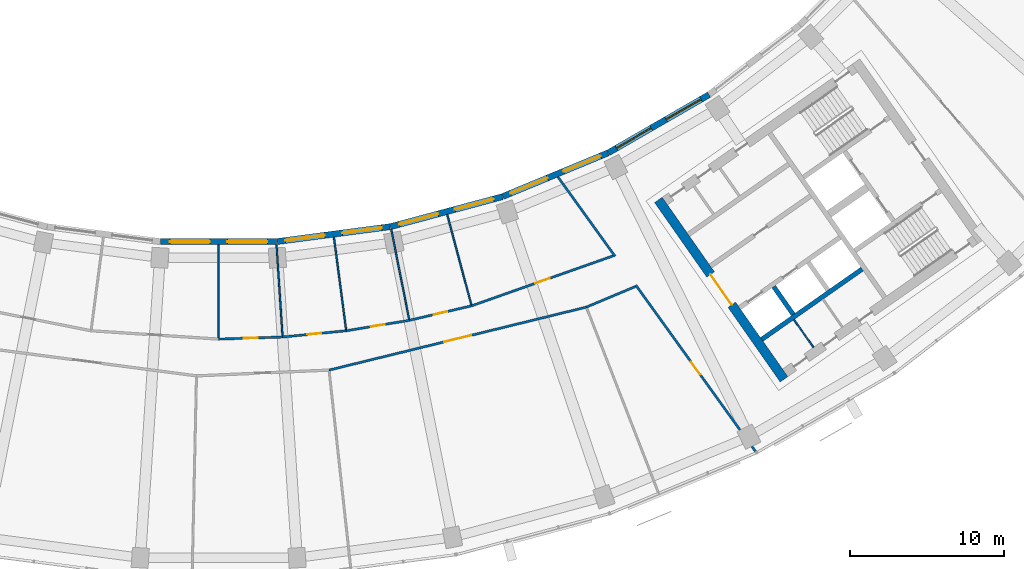
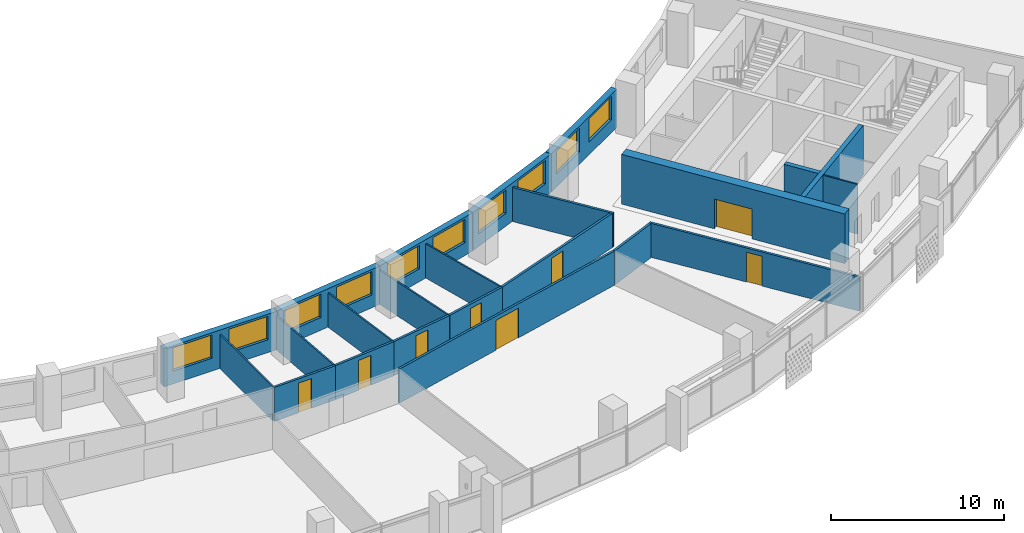
# One storey, part 6 of 26: 23 walls, 10 windows, 8 doors, 18 openings.
"""IFC4 building model written with IfcOpenShell, lengths in metres."""

from ifc_helpers import new_model, si_unit, direction, frame, frame_2d, origin, place, context, subcontext, project, spatial, rectangle, extrude, material, layer, layer_set, type_object, element, fill, save


model = new_model("IFC4")

# Units and contexts
model_context = context("Model", 3, precision=1e-05, world=origin(), true_north=direction((0.0, 1.0)))
body_context = subcontext(model_context, "Body", "Model", "MODEL_VIEW")
ifc_project = project(units=[si_unit("LENGTHUNIT", "METRE"), si_unit("AREAUNIT", "SQUARE_METRE"), si_unit("VOLUMEUNIT", "CUBIC_METRE"), si_unit("PLANEANGLEUNIT", "RADIAN"), si_unit("MASSUNIT", "GRAM", prefix="KILO")], contexts=[model_context])

# Site, building, storey
site_placement = place(None, origin())
site = spatial("IfcSite", under=ifc_project, at=site_placement, CompositionType="ELEMENT")
building_placement = place(site_placement, origin())
building = spatial("IfcBuilding", under=site, at=building_placement, Name="Qamariyya Broadcast Tower", CompositionType="ELEMENT")
storey_placement = place(building_placement, frame((0.0, 0.0, 183.5)))
storey = spatial("IfcBuildingStorey", under=building, at=storey_placement, Name="L43", CompositionType="ELEMENT", Elevation=183.5)

# Wall, opening, door
ifc_material_1 = material(Name="Concrete C60/75", Category="concrete")
ifc_layer_1 = layer(ifc_material_1, 0.60009765625)
ifc_layer_set_1 = layer_set([ifc_layer_1], Name="Core wall 600 mm Concrete C60/75")
wall_type_1 = type_object("IfcWallType", Name="Core wall 600 mm Concrete C60/75", PredefinedType="SHEAR", material=ifc_layer_set_1)
wall_1_placement = place(storey_placement, frame((36.66748046875, -66.005126953125, 0.0), z_axis=(0.0, 0.0, 1.0), x_axis=(-0.573568499524, 0.819157601658, 0.0)))
wall_1 = element("IfcWall", 1, at=wall_1_placement, inside=storey, type_object=wall_type_1, Name="k-E-L43-WA", PredefinedType="SHEAR", context=body_context, shape_type="SweptSolid", body=[
    extrude(rectangle(XDim=14.19970703125, YDim=0.60009765625, at=frame_2d((7.099853515625, 0.0))), origin(), (0.0, 0.0, 1.0), 3.5),
])
opening_1_placement = place(wall_1_placement, frame((5.89990234375, 0.0, 0.0)))
opening_1 = element("IfcOpeningElement", 2, at=opening_1_placement, cuts=wall_1, Name="Opening KD3-E1", PredefinedType="OPENING", context=body_context, shape_type="SweptSolid", body=[
    extrude(rectangle(XDim=2.39990234375, YDim=2.10009765625, at=frame_2d((1.199951171875, 1.050048828125))), frame((0.0, 0.31005859375, 0.0), z_axis=(0.0, -1.0, 0.0), x_axis=(1.0, 0.0, 0.0)), (0.0, 0.0, 1.0), 0.6201171875),
])
ifc_material_2 = material(Name="Steel fire-resisting door leaf", Category="steel")
door_type_1 = type_object("IfcDoorType", Name="Lift lobby door KD3", OperationType="DOUBLE_DOOR_SINGLE_SWING", PredefinedType="DOOR", material=ifc_material_2)
door_1_placement = place(opening_1_placement, origin())
door_1 = element("IfcDoor", 3, at=door_1_placement, inside=storey, type_object=door_type_1, Name="k-E-L43-WA-D1", OperationType="DOUBLE_DOOR_SINGLE_SWING", OverallHeight=2.10009765625, OverallWidth=2.39990234375, PredefinedType="DOOR", context=body_context, shape_type="SweptSolid", body=[
    extrude(rectangle(XDim=2.39990234375, YDim=2.10009765625, at=frame_2d((1.199951171875, 1.050048828125))), frame((0.0, 0.02490234375, 0.0), z_axis=(0.0, -1.0, 0.0), x_axis=(1.0, 0.0, 0.0)), (0.0, 0.0, 1.0), 0.050048828125),
])
fill(opening_1, door_1)

ifc_material_3 = material(Name="Gypsum board partition")
ifc_layer_2 = layer(ifc_material_3, 0.14990234375)
ifc_layer_set_2 = layer_set([ifc_layer_2], Name="Corridor partition 150 EI 60")
wall_type_2 = type_object("IfcWallType", Name="Corridor partition 150 EI 60", PredefinedType="PARTITIONING", material=ifc_layer_set_2)
wall_2_placement = place(storey_placement, frame((0.0, -63.39990234375, 0.0), z_axis=(0.0, 0.0, 1.0), x_axis=(0.999464584765, 0.032719165634, 0.0)))
wall_2 = element("IfcWall", 4, at=wall_2_placement, inside=storey, type_object=wall_type_2, Name="Partition L43-018", PredefinedType="PARTITIONING", context=body_context, shape_type="SweptSolid", body=[
    extrude(rectangle(XDim=4.148681640625, YDim=0.14990234375, at=frame_2d((2.07421875, 0.0))), origin(), (0.0, 0.0, 1.0), 2.39990234375),
])
opening_2_placement = place(wall_2_placement, frame((1.62451171875, 0.0, 0.0)))
opening_2 = element("IfcOpeningElement", 5, at=opening_2_placement, cuts=wall_2, Name="Opening L43-D11", PredefinedType="OPENING", context=body_context, shape_type="SweptSolid", body=[
    extrude(rectangle(XDim=0.89990234375, YDim=2.10009765625, at=frame_2d((0.449951171875, 1.050048828125))), frame((0.0, 0.0849609375, 0.0), z_axis=(0.0, -1.0, 0.0), x_axis=(1.0, 0.0, 0.0)), (0.0, 0.0, 1.0), 0.169921875),
])
ifc_material_4 = material(Name="Timber fire door leaf", Category="wood")
door_type_2 = type_object("IfcDoorType", Name="Fire door 900 x 2100 FD60", OperationType="NOTDEFINED", PredefinedType="DOOR", material=ifc_material_4)
door_2_placement = place(opening_2_placement, origin())
door_2 = element("IfcDoor", 6, at=door_2_placement, inside=storey, type_object=door_type_2, Name="Door L43-D11", OperationType="SINGLE_SWING_RIGHT", OverallHeight=2.10009765625, OverallWidth=0.89990234375, PredefinedType="DOOR", context=body_context, shape_type="SweptSolid", body=[
    extrude(rectangle(XDim=0.89990234375, YDim=2.10009765625, at=frame_2d((0.449951171875, 1.050048828125))), frame((0.0, 0.02490234375, 0.0), z_axis=(0.0, -1.0, 0.0), x_axis=(1.0, 0.0, 0.0)), (0.0, 0.0, 1.0), 0.050048828125),
])
fill(opening_2, door_2)

wall_3_placement = place(storey_placement, frame((4.146484375, -63.26416015625, 0.0), z_axis=(0.0, 0.0, 1.0), x_axis=(0.995188667069, 0.097977124567, 0.0)))
wall_3 = element("IfcWall", 7, at=wall_3_placement, inside=storey, type_object=wall_type_2, Name="Partition L43-021", PredefinedType="PARTITIONING", context=body_context, shape_type="SweptSolid", body=[
    extrude(rectangle(XDim=4.14892578125, YDim=0.14990234375, at=frame_2d((2.074462890625, 0.0))), origin(), (0.0, 0.0, 1.0), 2.39990234375),
])
opening_3_placement = place(wall_3_placement, frame((1.62451171875, 0.0, 0.0)))
opening_3 = element("IfcOpeningElement", 8, at=opening_3_placement, cuts=wall_3, Name="Opening L43-D12", PredefinedType="OPENING", context=body_context, shape_type="SweptSolid", body=[
    extrude(rectangle(XDim=0.89990234375, YDim=2.10009765625, at=frame_2d((0.449951171875, 1.050048828125))), frame((0.0, 0.0849609375, 0.0), z_axis=(0.0, -1.0, 0.0), x_axis=(1.0, 0.0, 0.0)), (0.0, 0.0, 1.0), 0.169921875),
])
door_3_placement = place(opening_3_placement, origin())
door_3 = element("IfcDoor", 9, at=door_3_placement, inside=storey, type_object=door_type_2, Name="Door L43-D12", OperationType="SINGLE_SWING_RIGHT", OverallHeight=2.10009765625, OverallWidth=0.89990234375, PredefinedType="DOOR", context=body_context, shape_type="SweptSolid", body=[
    extrude(rectangle(XDim=0.89990234375, YDim=2.10009765625, at=frame_2d((0.449951171875, 1.050048828125))), frame((0.0, 0.02490234375, 0.0), z_axis=(0.0, -1.0, 0.0), x_axis=(1.0, 0.0, 0.0)), (0.0, 0.0, 1.0), 0.050048828125),
])
fill(opening_3, door_3)

wall_4_placement = place(storey_placement, frame((23.8466796875, -61.32666015625, 0.0), z_axis=(0.0, 0.0, 1.0), x_axis=(-0.971345945065, -0.23767005492, 0.0)))
wall_4 = element("IfcWall", 10, at=wall_4_placement, inside=storey, type_object=wall_type_2, Name="Partition L43-022", PredefinedType="PARTITIONING", context=body_context, shape_type="SweptSolid", body=[
    extrude(rectangle(XDim=17.17724609375, YDim=0.14990234375, at=frame_2d((8.588623046875, 0.0))), origin(), (0.0, 0.0, 1.0), 2.39990234375),
])
opening_4_placement = place(wall_4_placement, frame((7.688720703125, 0.0, 0.0)))
opening_4 = element("IfcOpeningElement", 11, at=opening_4_placement, cuts=wall_4, Name="Opening L43-D06", PredefinedType="OPENING", context=body_context, shape_type="SweptSolid", body=[
    extrude(rectangle(XDim=1.800048828125, YDim=2.10009765625, at=frame_2d((0.89990234375, 1.050048828125))), frame((0.0, 0.0849609375, 0.0), z_axis=(0.0, -1.0, 0.0), x_axis=(1.0, 0.0, 0.0)), (0.0, 0.0, 1.0), 0.169921875),
])
door_type_3 = type_object("IfcDoorType", Name="Double fire door 1800 x 2100 FD60", OperationType="NOTDEFINED", PredefinedType="DOOR", material=ifc_material_4)
door_4_placement = place(opening_4_placement, origin())
door_4 = element("IfcDoor", 12, at=door_4_placement, inside=storey, type_object=door_type_3, Name="Door L43-D06", OperationType="DOUBLE_DOOR_SINGLE_SWING", OverallHeight=2.10009765625, OverallWidth=1.800048828125, PredefinedType="DOOR", context=body_context, shape_type="SweptSolid", body=[
    extrude(rectangle(XDim=1.800048828125, YDim=2.10009765625, at=frame_2d((0.89990234375, 1.050048828125))), frame((0.0, 0.02490234375, 0.0), z_axis=(0.0, -1.0, 0.0), x_axis=(1.0, 0.0, 0.0)), (0.0, 0.0, 1.0), 0.050048828125),
])
fill(opening_4, door_4)

wall_5_placement = place(storey_placement, frame((8.275390625, -62.857666015625, 0.0), z_axis=(0.0, 0.0, 1.0), x_axis=(0.986644067936, 0.162891016345, 0.0)))
wall_5 = element("IfcWall", 13, at=wall_5_placement, inside=storey, type_object=wall_type_2, Name="Partition L43-024", PredefinedType="PARTITIONING", context=body_context, shape_type="SweptSolid", body=[
    extrude(rectangle(XDim=4.148681640625, YDim=0.14990234375, at=frame_2d((2.07421875, 0.0))), origin(), (0.0, 0.0, 1.0), 2.39990234375),
])
opening_5_placement = place(wall_5_placement, frame((1.62451171875, 0.0, 0.0)))
opening_5 = element("IfcOpeningElement", 14, at=opening_5_placement, cuts=wall_5, Name="Opening L43-D13", PredefinedType="OPENING", context=body_context, shape_type="SweptSolid", body=[
    extrude(rectangle(XDim=0.89990234375, YDim=2.10009765625, at=frame_2d((0.449951171875, 1.050048828125))), frame((0.0, 0.0849609375, 0.0), z_axis=(0.0, -1.0, 0.0), x_axis=(1.0, 0.0, 0.0)), (0.0, 0.0, 1.0), 0.169921875),
])
door_5_placement = place(opening_5_placement, origin())
door_5 = element("IfcDoor", 15, at=door_5_placement, inside=storey, type_object=door_type_2, Name="Door L43-D13", OperationType="SINGLE_SWING_RIGHT", OverallHeight=2.10009765625, OverallWidth=0.89990234375, PredefinedType="DOOR", context=body_context, shape_type="SweptSolid", body=[
    extrude(rectangle(XDim=0.89990234375, YDim=2.10009765625, at=frame_2d((0.449951171875, 1.050048828125))), frame((0.0, 0.02490234375, 0.0), z_axis=(0.0, -1.0, 0.0), x_axis=(1.0, 0.0, 0.0)), (0.0, 0.0, 1.0), 0.050048828125),
])
fill(opening_5, door_5)

wall_6_placement = place(storey_placement, frame((12.36865234375, -62.181884765625, 0.0), z_axis=(0.0, 0.0, 1.0), x_axis=(0.973875922187, 0.227080796599, 0.0)))
wall_6 = element("IfcWall", 16, at=wall_6_placement, inside=storey, type_object=wall_type_2, Name="Partition L43-027", PredefinedType="PARTITIONING", context=body_context, shape_type="SweptSolid", body=[
    extrude(rectangle(XDim=4.14892578125, YDim=0.14990234375, at=frame_2d((2.074462890625, 0.0))), origin(), (0.0, 0.0, 1.0), 2.39990234375),
])
opening_6_placement = place(wall_6_placement, frame((1.62451171875, 0.0, 0.0)))
opening_6 = element("IfcOpeningElement", 17, at=opening_6_placement, cuts=wall_6, Name="Opening L43-D14", PredefinedType="OPENING", context=body_context, shape_type="SweptSolid", body=[
    extrude(rectangle(XDim=0.89990234375, YDim=2.10009765625, at=frame_2d((0.449951171875, 1.050048828125))), frame((0.0, 0.0849609375, 0.0), z_axis=(0.0, -1.0, 0.0), x_axis=(1.0, 0.0, 0.0)), (0.0, 0.0, 1.0), 0.169921875),
])
door_6_placement = place(opening_6_placement, origin())
door_6 = element("IfcDoor", 18, at=door_6_placement, inside=storey, type_object=door_type_2, Name="Door L43-D14", OperationType="SINGLE_SWING_RIGHT", OverallHeight=2.10009765625, OverallWidth=0.89990234375, PredefinedType="DOOR", context=body_context, shape_type="SweptSolid", body=[
    extrude(rectangle(XDim=0.89990234375, YDim=2.10009765625, at=frame_2d((0.449951171875, 1.050048828125))), frame((0.0, 0.02490234375, 0.0), z_axis=(0.0, -1.0, 0.0), x_axis=(1.0, 0.0, 0.0)), (0.0, 0.0, 1.0), 0.050048828125),
])
fill(opening_6, door_6)

wall_7_placement = place(storey_placement, frame((16.4091796875, -61.23974609375, 0.0), z_axis=(0.0, 0.0, 1.0), x_axis=(0.942977382292, 0.332856810785, 0.0)))
wall_7 = element("IfcWall", 19, at=wall_7_placement, inside=storey, type_object=wall_type_2, Name="Partition L43-029", PredefinedType="PARTITIONING", context=body_context, shape_type="SweptSolid", body=[
    extrude(rectangle(XDim=9.744873046875, YDim=0.14990234375, at=frame_2d((4.87255859375, 0.0))), origin(), (0.0, 0.0, 1.0), 2.39990234375),
])
opening_7_placement = place(wall_7_placement, frame((4.37255859375, 0.0, 0.0)))
opening_7 = element("IfcOpeningElement", 20, at=opening_7_placement, cuts=wall_7, Name="Opening L43-D15", PredefinedType="OPENING", context=body_context, shape_type="SweptSolid", body=[
    extrude(rectangle(XDim=1.0, YDim=2.10009765625, at=frame_2d((0.5, 1.050048828125))), frame((0.0, 0.0849609375, 0.0), z_axis=(0.0, -1.0, 0.0), x_axis=(1.0, 0.0, 0.0)), (0.0, 0.0, 1.0), 0.169921875),
])
door_type_4 = type_object("IfcDoorType", Name="Fire door 1000 x 2100 FD60", OperationType="NOTDEFINED", PredefinedType="DOOR", material=ifc_material_4)
door_7_placement = place(opening_7_placement, origin())
door_7 = element("IfcDoor", 21, at=door_7_placement, inside=storey, type_object=door_type_4, Name="Door L43-D15", OperationType="SINGLE_SWING_RIGHT", OverallHeight=2.10009765625, OverallWidth=1.0, PredefinedType="DOOR", context=body_context, shape_type="SweptSolid", body=[
    extrude(rectangle(XDim=1.0, YDim=2.10009765625, at=frame_2d((0.5, 1.050048828125))), frame((0.0, 0.02490234375, 0.0), z_axis=(0.0, -1.0, 0.0), x_axis=(1.0, 0.0, 0.0)), (0.0, 0.0, 1.0), 0.050048828125),
])
fill(opening_7, door_7)

# Walls
wall_8_placement = place(storey_placement, frame((22.0, -52.873046875, 0.0), z_axis=(0.0, 0.0, 1.0), x_axis=(0.58417014289, -0.811631224236, 0.0)))
element("IfcWall", 22, at=wall_8_placement, inside=storey, type_object=wall_type_2, Name="Partition L43-030", PredefinedType="PARTITIONING", context=body_context, shape_type="SweptSolid", body=[
    extrude(rectangle(XDim=6.356201171875, YDim=0.14990234375, at=frame_2d((3.17822265625, 0.0))), origin(), (0.0, 0.0, 1.0), 2.39990234375),
])
wall_9_placement = place(storey_placement, frame((23.8466796875, -61.32666015625, 0.0), z_axis=(0.0, 0.0, 1.0), x_axis=(0.921979582273, 0.38723849224, 0.0)))
element("IfcWall", 23, at=wall_9_placement, inside=storey, type_object=wall_type_2, Name="Partition L43-031", PredefinedType="PARTITIONING", context=body_context, shape_type="SweptSolid", body=[
    extrude(rectangle(XDim=3.454345703125, YDim=0.14990234375, at=frame_2d((1.72705078125, 0.0))), origin(), (0.0, 0.0, 1.0), 2.39990234375),
])

# Wall, opening, door
wall_10_placement = place(storey_placement, frame((34.823974609375, -70.690673828125, 0.0), z_axis=(0.0, 0.0, 1.0), x_axis=(-0.584166374063, 0.81163393683, 0.0)))
wall_10 = element("IfcWall", 24, at=wall_10_placement, inside=storey, type_object=wall_type_2, Name="Partition L43-032", PredefinedType="PARTITIONING", context=body_context, shape_type="SweptSolid", body=[
    extrude(rectangle(XDim=13.296142578125, YDim=0.14990234375, at=frame_2d((6.64794921875, 0.0))), origin(), (0.0, 0.0, 1.0), 2.39990234375),
])
opening_8_placement = place(wall_10_placement, frame((6.14794921875, 0.0, 0.0)))
opening_8 = element("IfcOpeningElement", 25, at=opening_8_placement, cuts=wall_10, Name="Opening L43-D07", PredefinedType="OPENING", context=body_context, shape_type="SweptSolid", body=[
    extrude(rectangle(XDim=1.0, YDim=2.10009765625, at=frame_2d((0.5, 1.050048828125))), frame((0.0, 0.0849609375, 0.0), z_axis=(0.0, -1.0, 0.0), x_axis=(1.0, 0.0, 0.0)), (0.0, 0.0, 1.0), 0.169921875),
])
door_8_placement = place(opening_8_placement, origin())
door_8 = element("IfcDoor", 26, at=door_8_placement, inside=storey, type_object=door_type_4, Name="Door L43-D07", OperationType="SINGLE_SWING_RIGHT", OverallHeight=2.10009765625, OverallWidth=1.0, PredefinedType="DOOR", context=body_context, shape_type="SweptSolid", body=[
    extrude(rectangle(XDim=1.0, YDim=2.10009765625, at=frame_2d((0.5, 1.050048828125))), frame((0.0, 0.02490234375, 0.0), z_axis=(0.0, -1.0, 0.0), x_axis=(1.0, 0.0, 0.0)), (0.0, 0.0, 1.0), 0.050048828125),
])
fill(opening_8, door_8)

# Walls
ifc_layer_3 = layer(ifc_material_1, 0.300048828125)
ifc_layer_set_3 = layer_set([ifc_layer_3], Name="Lift shaft wall 300 mm Concrete C60/75")
wall_type_3 = type_object("IfcWallType", Name="Lift shaft wall 300 mm Concrete C60/75", PredefinedType="SOLIDWALL", material=ifc_layer_set_3)
wall_11_placement = place(storey_placement, frame((35.22119140625, -63.41650390625, 0.0), z_axis=(0.0, 0.0, 1.0), x_axis=(0.819166993208, 0.573555086491, 0.0)))
element("IfcWall", 27, at=wall_11_placement, inside=storey, type_object=wall_type_3, Name="k-E-L43-SB0", PredefinedType="SOLIDWALL", context=body_context, shape_type="SweptSolid", body=[
    extrude(rectangle(XDim=7.9501953125, YDim=0.300048828125, at=frame_2d((3.97509765625, 0.0))), origin(), (0.0, 0.0, 1.0), 3.5),
])
wall_12_placement = place(storey_placement, frame((36.003173828125, -60.000244140625, 0.0), z_axis=(0.0, 0.0, 1.0), x_axis=(0.573581496053, -0.819148501424, 0.0)))
element("IfcWall", 28, at=wall_12_placement, inside=storey, type_object=wall_type_3, Name="k-E-L43-SD0", PredefinedType="SOLIDWALL", context=body_context, shape_type="SweptSolid", body=[
    extrude(rectangle(XDim=2.2001953125, YDim=0.300048828125, at=frame_2d((1.10009765625, 0.0))), origin(), (0.0, 0.0, 1.0), 3.5),
])
ifc_layer_4 = layer(ifc_material_3, 0.10009765625)
ifc_layer_set_4 = layer_set([ifc_layer_4], Name="Partition 100")
wall_type_4 = type_object("IfcWallType", Name="Partition 100", PredefinedType="PARTITIONING", material=ifc_layer_set_4)
wall_13_placement = place(storey_placement, frame((0.0, -57.278076171875, 0.0), z_axis=(0.0, 0.0, 1.0), x_axis=(0.0, -1.0, 0.0)))
element("IfcWall", 29, at=wall_13_placement, inside=storey, type_object=wall_type_4, Name="Partition L43-019", PredefinedType="PARTITIONING", context=body_context, shape_type="SweptSolid", body=[
    extrude(rectangle(XDim=6.046875, YDim=0.10009765625, at=frame_2d((3.0234375, 0.0))), origin(), (0.0, 0.0, 1.0), 2.39990234375),
])
wall_14_placement = place(storey_placement, frame((3.754150390625, -57.277099609375, 0.0), z_axis=(0.0, 0.0, 1.0), x_axis=(0.065392214001, -0.997859638601, 0.0)))
element("IfcWall", 30, at=wall_14_placement, inside=storey, type_object=wall_type_4, Name="Partition L43-020", PredefinedType="PARTITIONING", context=body_context, shape_type="SweptSolid", body=[
    extrude(rectangle(XDim=5.925048828125, YDim=0.10009765625, at=frame_2d((2.96240234375, 0.0))), origin(), (0.0, 0.0, 1.0), 2.39990234375),
])
wall_15_placement = place(storey_placement, frame((7.476318359375, -56.787841796875, 0.0), z_axis=(0.0, 0.0, 1.0), x_axis=(0.130526573864, -0.991444811129, 0.0)))
element("IfcWall", 31, at=wall_15_placement, inside=storey, type_object=wall_type_4, Name="Partition L43-023", PredefinedType="PARTITIONING", context=body_context, shape_type="SweptSolid", body=[
    extrude(rectangle(XDim=6.047119140625, YDim=0.10009765625, at=frame_2d((3.0234375, 0.0))), origin(), (0.0, 0.0, 1.0), 2.39990234375),
])
wall_16_placement = place(storey_placement, frame((11.1982421875, -56.297119140625, 0.0), z_axis=(0.0, 0.0, 1.0), x_axis=(0.195070020718, -0.980789318364, 0.0)))
element("IfcWall", 32, at=wall_16_placement, inside=storey, type_object=wall_type_4, Name="Partition L43-026", PredefinedType="PARTITIONING", context=body_context, shape_type="SweptSolid", body=[
    extrude(rectangle(XDim=5.9248046875, YDim=0.10009765625, at=frame_2d((2.96240234375, 0.0))), origin(), (0.0, 0.0, 1.0), 2.39990234375),
])
wall_17_placement = place(storey_placement, frame((14.82470703125, -55.326171875, 0.0), z_axis=(0.0, 0.0, 1.0), x_axis=(0.258793263352, -0.965932734119, 0.0)))
element("IfcWall", 33, at=wall_17_placement, inside=storey, type_object=wall_type_4, Name="Partition L43-028", PredefinedType="PARTITIONING", context=body_context, shape_type="SweptSolid", body=[
    extrude(rectangle(XDim=6.047119140625, YDim=0.10009765625, at=frame_2d((3.0234375, 0.0))), origin(), (0.0, 0.0, 1.0), 2.39990234375),
])
ifc_material_5 = material(Name="Fire-rated gypsum shaft liner on steel studs", Category="steel")
ifc_layer_5 = layer(ifc_material_5, 0.10009765625)
ifc_layer_set_5 = layer_set([ifc_layer_5], Name="Riser wall 100 mm")
wall_type_5 = type_object("IfcWallType", Name="Riser wall 100 mm", PredefinedType="PLUMBINGWALL", material=ifc_layer_set_5)
wall_18_placement = place(storey_placement, frame((37.314208984375, -62.13427734375, 0.0), z_axis=(0.0, 0.0, 1.0), x_axis=(0.573633636671, -0.819111989218, 0.0)))
element("IfcWall", 34, at=wall_18_placement, inside=storey, type_object=wall_type_5, Name="k-E-L43-SP245", PredefinedType="PLUMBINGWALL", context=body_context, shape_type="SweptSolid", body=[
    extrude(rectangle(XDim=2.199951171875, YDim=0.10009765625, at=frame_2d((1.10009765625, 0.0))), origin(), (0.0, 0.0, 1.0), 3.5),
])

# Wall, openings, windows
ifc_material_6 = material(Name="Terracotta", Category="masonry")
ifc_layer_6 = layer(ifc_material_6, 0.39990234375)
ifc_layer_set_6 = layer_set([ifc_layer_6], Name="Terracotta clad wall 400")
wall_type_6 = type_object("IfcWallType", Name="Terracotta clad wall 400", PredefinedType="SOLIDWALL", material=ifc_layer_set_6)
wall_19_placement = place(storey_placement, frame((25.252197265625, -51.32080078125, 0.0), z_axis=(0.0, 0.0, 1.0), x_axis=(-0.923867659443, -0.382712095229, 0.0)))
wall_19 = element("IfcWall", 35, at=wall_19_placement, inside=storey, type_object=wall_type_6, Name="e-wl-L43-in100", PredefinedType="SOLIDWALL", context=body_context, shape_type="SweptSolid", body=[
    extrude(rectangle(XDim=7.380859375, YDim=0.39990234375, at=frame_2d((3.6904296875, 0.0))), origin(), (0.0, 0.0, 1.0), 2.699951171875),
])
opening_9_placement = place(wall_19_placement, frame((4.25439453125, 0.0, 0.89990234375)))
opening_9 = element("IfcOpeningElement", 36, at=opening_9_placement, cuts=wall_19, Name="Opening W1", PredefinedType="OPENING", context=body_context, shape_type="SweptSolid", body=[
    extrude(rectangle(XDim=2.60009765625, YDim=1.64990234375, at=frame_2d((1.300048828125, 0.824951171875))), frame((0.0, 0.2099609375, 0.0), z_axis=(0.0, -1.0, 0.0), x_axis=(1.0, 0.0, 0.0)), (0.0, 0.0, 1.0), 0.419921875),
])
opening_10_placement = place(wall_19_placement, frame((0.5263671875, 0.0, 0.89990234375)))
opening_10 = element("IfcOpeningElement", 37, at=opening_10_placement, cuts=wall_19, Name="Opening W1", PredefinedType="OPENING", context=body_context, shape_type="SweptSolid", body=[
    extrude(rectangle(XDim=2.60009765625, YDim=1.64990234375, at=frame_2d((1.300048828125, 0.824951171875))), frame((0.0, 0.2099609375, 0.0), z_axis=(0.0, -1.0, 0.0), x_axis=(1.0, 0.0, 0.0)), (0.0, 0.0, 1.0), 0.419921875),
])
ifc_material_7 = material(Name="Clear low-e double glazed unit in aluminium frame", Category="aluminium")
window_type = type_object("IfcWindowType", Name="Ribbon window 2600 x 1650", PartitioningType="SINGLE_PANEL", PredefinedType="WINDOW", material=ifc_material_7)
window_1_placement = place(opening_9_placement, origin())
window_1 = element("IfcWindow", 38, at=window_1_placement, inside=storey, type_object=window_type, Name="e-w-L43-in10-0", OverallHeight=1.64990234375, OverallWidth=2.60009765625, PartitioningType="SINGLE_PANEL", PredefinedType="WINDOW", context=body_context, shape_type="SweptSolid", body=[
    extrude(rectangle(XDim=2.60009765625, YDim=1.64990234375, at=frame_2d((1.300048828125, 0.824951171875))), frame((0.0, 0.030029296875, 0.0), z_axis=(0.0, -1.0, 0.0), x_axis=(1.0, 0.0, 0.0)), (0.0, 0.0, 1.0), 0.06005859375),
])
fill(opening_9, window_1)
window_2_placement = place(opening_10_placement, origin())
window_2 = element("IfcWindow", 39, at=window_2_placement, inside=storey, type_object=window_type, Name="e-w-L43-in10-1", OverallHeight=1.64990234375, OverallWidth=2.60009765625, PartitioningType="SINGLE_PANEL", PredefinedType="WINDOW", context=body_context, shape_type="SweptSolid", body=[
    extrude(rectangle(XDim=2.60009765625, YDim=1.64990234375, at=frame_2d((1.300048828125, 0.824951171875))), frame((0.0, 0.030029296875, 0.0), z_axis=(0.0, -1.0, 0.0), x_axis=(1.0, 0.0, 0.0)), (0.0, 0.0, 1.0), 0.06005859375),
])
fill(opening_10, window_2)

wall_20_placement = place(storey_placement, frame((31.800537109375, -47.5478515625, 0.0), z_axis=(0.0, 0.0, 1.0), x_axis=(-0.866028517328, -0.499994607145, 0.0)))
wall_20 = element("IfcWall", 40, at=wall_20_placement, inside=storey, type_object=wall_type_6, Name="e-wl-L43-in110", PredefinedType="SOLIDWALL", context=body_context, shape_type="SweptSolid", body=[
    extrude(rectangle(XDim=7.5322265625, YDim=0.39990234375, at=frame_2d((3.76611328125, 0.0))), origin(), (0.0, 0.0, 1.0), 2.699951171875),
])
opening_11_placement = place(wall_20_placement, frame((4.330078125, 0.0, 0.89990234375)))
opening_11 = element("IfcOpeningElement", 41, at=opening_11_placement, cuts=wall_20, Name="Opening W1", PredefinedType="OPENING", context=body_context, shape_type="SweptSolid", body=[
    extrude(rectangle(XDim=2.60009765625, YDim=1.64990234375, at=frame_2d((1.300048828125, 0.824951171875))), frame((0.0, 0.2099609375, 0.0), z_axis=(0.0, -1.0, 0.0), x_axis=(1.0, 0.0, 0.0)), (0.0, 0.0, 1.0), 0.419921875),
])
opening_12_placement = place(wall_20_placement, frame((0.60205078125, 0.0, 0.89990234375)))
opening_12 = element("IfcOpeningElement", 42, at=opening_12_placement, cuts=wall_20, Name="Opening W1", PredefinedType="OPENING", context=body_context, shape_type="SweptSolid", body=[
    extrude(rectangle(XDim=2.60009765625, YDim=1.64990234375, at=frame_2d((1.300048828125, 0.824951171875))), frame((0.0, 0.2099609375, 0.0), z_axis=(0.0, -1.0, 0.0), x_axis=(1.0, 0.0, 0.0)), (0.0, 0.0, 1.0), 0.419921875),
])
window_3_placement = place(opening_11_placement, origin())
window_3 = element("IfcWindow", 43, at=window_3_placement, inside=storey, type_object=window_type, Name="e-w-L43-in11-0", OverallHeight=1.64990234375, OverallWidth=2.60009765625, PartitioningType="SINGLE_PANEL", PredefinedType="WINDOW", context=body_context, shape_type="SweptSolid", body=[
    extrude(rectangle(XDim=2.60009765625, YDim=1.64990234375, at=frame_2d((1.300048828125, 0.824951171875))), frame((0.0, 0.030029296875, 0.0), z_axis=(0.0, -1.0, 0.0), x_axis=(1.0, 0.0, 0.0)), (0.0, 0.0, 1.0), 0.06005859375),
])
fill(opening_11, window_3)
window_4_placement = place(opening_12_placement, origin())
window_4 = element("IfcWindow", 44, at=window_4_placement, inside=storey, type_object=window_type, Name="e-w-L43-in11-1", OverallHeight=1.64990234375, OverallWidth=2.60009765625, PartitioningType="SINGLE_PANEL", PredefinedType="WINDOW", context=body_context, shape_type="SweptSolid", body=[
    extrude(rectangle(XDim=2.60009765625, YDim=1.64990234375, at=frame_2d((1.300048828125, 0.824951171875))), frame((0.0, 0.030029296875, 0.0), z_axis=(0.0, -1.0, 0.0), x_axis=(1.0, 0.0, 0.0)), (0.0, 0.0, 1.0), 0.06005859375),
])
fill(opening_12, window_4)

wall_21_placement = place(storey_placement, frame((3.76611328125, -57.077880859375, 0.0), z_axis=(0.0, 0.0, 1.0), x_axis=(-1.0, 0.0, 0.0)))
wall_21 = element("IfcWall", 45, at=wall_21_placement, inside=storey, type_object=wall_type_6, Name="e-wl-L43-in70", PredefinedType="SOLIDWALL", context=body_context, shape_type="SweptSolid", body=[
    extrude(rectangle(XDim=7.5322265625, YDim=0.39990234375, at=frame_2d((3.76611328125, 0.0))), origin(), (0.0, 0.0, 1.0), 2.699951171875),
])
opening_13_placement = place(wall_21_placement, frame((4.330078125, 0.0, 0.89990234375)))
opening_13 = element("IfcOpeningElement", 46, at=opening_13_placement, cuts=wall_21, Name="Opening W1", PredefinedType="OPENING", context=body_context, shape_type="SweptSolid", body=[
    extrude(rectangle(XDim=2.60009765625, YDim=1.64990234375, at=frame_2d((1.300048828125, 0.824951171875))), frame((0.0, 0.2099609375, 0.0), z_axis=(0.0, -1.0, 0.0), x_axis=(1.0, 0.0, 0.0)), (0.0, 0.0, 1.0), 0.419921875),
])
opening_14_placement = place(wall_21_placement, frame((0.60205078125, 0.0, 0.89990234375)))
opening_14 = element("IfcOpeningElement", 47, at=opening_14_placement, cuts=wall_21, Name="Opening W1", PredefinedType="OPENING", context=body_context, shape_type="SweptSolid", body=[
    extrude(rectangle(XDim=2.60009765625, YDim=1.64990234375, at=frame_2d((1.300048828125, 0.824951171875))), frame((0.0, 0.2099609375, 0.0), z_axis=(0.0, -1.0, 0.0), x_axis=(1.0, 0.0, 0.0)), (0.0, 0.0, 1.0), 0.419921875),
])
window_5_placement = place(opening_13_placement, origin())
window_5 = element("IfcWindow", 48, at=window_5_placement, inside=storey, type_object=window_type, Name="e-w-L43-in07-0", OverallHeight=1.64990234375, OverallWidth=2.60009765625, PartitioningType="SINGLE_PANEL", PredefinedType="WINDOW", context=body_context, shape_type="SweptSolid", body=[
    extrude(rectangle(XDim=2.60009765625, YDim=1.64990234375, at=frame_2d((1.300048828125, 0.824951171875))), frame((0.0, 0.030029296875, 0.0), z_axis=(0.0, -1.0, 0.0), x_axis=(1.0, 0.0, 0.0)), (0.0, 0.0, 1.0), 0.06005859375),
])
fill(opening_13, window_5)
window_6_placement = place(opening_14_placement, origin())
window_6 = element("IfcWindow", 49, at=window_6_placement, inside=storey, type_object=window_type, Name="e-w-L43-in07-1", OverallHeight=1.64990234375, OverallWidth=2.60009765625, PartitioningType="SINGLE_PANEL", PredefinedType="WINDOW", context=body_context, shape_type="SweptSolid", body=[
    extrude(rectangle(XDim=2.60009765625, YDim=1.64990234375, at=frame_2d((1.300048828125, 0.824951171875))), frame((0.0, 0.030029296875, 0.0), z_axis=(0.0, -1.0, 0.0), x_axis=(1.0, 0.0, 0.0)), (0.0, 0.0, 1.0), 0.06005859375),
])
fill(opening_14, window_6)

wall_22_placement = place(storey_placement, frame((11.10888671875, -56.10791015625, 0.0), z_axis=(0.0, 0.0, 1.0), x_axis=(-0.99144438474, -0.130529812564, 0.0)))
wall_22 = element("IfcWall", 50, at=wall_22_placement, inside=storey, type_object=wall_type_6, Name="e-wl-L43-in80", PredefinedType="SOLIDWALL", context=body_context, shape_type="SweptSolid", body=[
    extrude(rectangle(XDim=7.380615234375, YDim=0.39990234375, at=frame_2d((3.6904296875, 0.0))), origin(), (0.0, 0.0, 1.0), 2.699951171875),
])
opening_15_placement = place(wall_22_placement, frame((4.25439453125, 0.0, 0.89990234375)))
opening_15 = element("IfcOpeningElement", 51, at=opening_15_placement, cuts=wall_22, Name="Opening W1", PredefinedType="OPENING", context=body_context, shape_type="SweptSolid", body=[
    extrude(rectangle(XDim=2.60009765625, YDim=1.64990234375, at=frame_2d((1.300048828125, 0.824951171875))), frame((0.0, 0.2099609375, 0.0), z_axis=(0.0, -1.0, 0.0), x_axis=(1.0, 0.0, 0.0)), (0.0, 0.0, 1.0), 0.419921875),
])
opening_16_placement = place(wall_22_placement, frame((0.5263671875, 0.0, 0.89990234375)))
opening_16 = element("IfcOpeningElement", 52, at=opening_16_placement, cuts=wall_22, Name="Opening W1", PredefinedType="OPENING", context=body_context, shape_type="SweptSolid", body=[
    extrude(rectangle(XDim=2.60009765625, YDim=1.64990234375, at=frame_2d((1.300048828125, 0.824951171875))), frame((0.0, 0.2099609375, 0.0), z_axis=(0.0, -1.0, 0.0), x_axis=(1.0, 0.0, 0.0)), (0.0, 0.0, 1.0), 0.419921875),
])
window_7_placement = place(opening_15_placement, origin())
window_7 = element("IfcWindow", 53, at=window_7_placement, inside=storey, type_object=window_type, Name="e-w-L43-in08-0", OverallHeight=1.64990234375, OverallWidth=2.60009765625, PartitioningType="SINGLE_PANEL", PredefinedType="WINDOW", context=body_context, shape_type="SweptSolid", body=[
    extrude(rectangle(XDim=2.60009765625, YDim=1.64990234375, at=frame_2d((1.300048828125, 0.824951171875))), frame((0.0, 0.030029296875, 0.0), z_axis=(0.0, -1.0, 0.0), x_axis=(1.0, 0.0, 0.0)), (0.0, 0.0, 1.0), 0.06005859375),
])
fill(opening_15, window_7)
window_8_placement = place(opening_16_placement, origin())
window_8 = element("IfcWindow", 54, at=window_8_placement, inside=storey, type_object=window_type, Name="e-w-L43-in08-1", OverallHeight=1.64990234375, OverallWidth=2.60009765625, PartitioningType="SINGLE_PANEL", PredefinedType="WINDOW", context=body_context, shape_type="SweptSolid", body=[
    extrude(rectangle(XDim=2.60009765625, YDim=1.64990234375, at=frame_2d((1.300048828125, 0.824951171875))), frame((0.0, 0.030029296875, 0.0), z_axis=(0.0, -1.0, 0.0), x_axis=(1.0, 0.0, 0.0)), (0.0, 0.0, 1.0), 0.06005859375),
])
fill(opening_16, window_8)

wall_23_placement = place(storey_placement, frame((18.41064453125, -54.158447265625, 0.0), z_axis=(0.0, 0.0, 1.0), x_axis=(-0.965927073219, -0.258814391452, 0.0)))
wall_23 = element("IfcWall", 55, at=wall_23_placement, inside=storey, type_object=wall_type_6, Name="e-wl-L43-in90", PredefinedType="SOLIDWALL", context=body_context, shape_type="SweptSolid", body=[
    extrude(rectangle(XDim=7.5322265625, YDim=0.39990234375, at=frame_2d((3.76611328125, 0.0))), origin(), (0.0, 0.0, 1.0), 2.699951171875),
])
opening_17_placement = place(wall_23_placement, frame((4.330078125, 0.0, 0.89990234375)))
opening_17 = element("IfcOpeningElement", 56, at=opening_17_placement, cuts=wall_23, Name="Opening W1", PredefinedType="OPENING", context=body_context, shape_type="SweptSolid", body=[
    extrude(rectangle(XDim=2.60009765625, YDim=1.64990234375, at=frame_2d((1.300048828125, 0.824951171875))), frame((0.0, 0.2099609375, 0.0), z_axis=(0.0, -1.0, 0.0), x_axis=(1.0, 0.0, 0.0)), (0.0, 0.0, 1.0), 0.419921875),
])
opening_18_placement = place(wall_23_placement, frame((0.60205078125, 0.0, 0.89990234375)))
opening_18 = element("IfcOpeningElement", 57, at=opening_18_placement, cuts=wall_23, Name="Opening W1", PredefinedType="OPENING", context=body_context, shape_type="SweptSolid", body=[
    extrude(rectangle(XDim=2.60009765625, YDim=1.64990234375, at=frame_2d((1.300048828125, 0.824951171875))), frame((0.0, 0.2099609375, 0.0), z_axis=(0.0, -1.0, 0.0), x_axis=(1.0, 0.0, 0.0)), (0.0, 0.0, 1.0), 0.419921875),
])
window_9_placement = place(opening_17_placement, origin())
window_9 = element("IfcWindow", 58, at=window_9_placement, inside=storey, type_object=window_type, Name="e-w-L43-in09-0", OverallHeight=1.64990234375, OverallWidth=2.60009765625, PartitioningType="SINGLE_PANEL", PredefinedType="WINDOW", context=body_context, shape_type="SweptSolid", body=[
    extrude(rectangle(XDim=2.60009765625, YDim=1.64990234375, at=frame_2d((1.300048828125, 0.824951171875))), frame((0.0, 0.030029296875, 0.0), z_axis=(0.0, -1.0, 0.0), x_axis=(1.0, 0.0, 0.0)), (0.0, 0.0, 1.0), 0.06005859375),
])
fill(opening_17, window_9)
window_10_placement = place(opening_18_placement, origin())
window_10 = element("IfcWindow", 59, at=window_10_placement, inside=storey, type_object=window_type, Name="e-w-L43-in09-1", OverallHeight=1.64990234375, OverallWidth=2.60009765625, PartitioningType="SINGLE_PANEL", PredefinedType="WINDOW", context=body_context, shape_type="SweptSolid", body=[
    extrude(rectangle(XDim=2.60009765625, YDim=1.64990234375, at=frame_2d((1.300048828125, 0.824951171875))), frame((0.0, 0.030029296875, 0.0), z_axis=(0.0, -1.0, 0.0), x_axis=(1.0, 0.0, 0.0)), (0.0, 0.0, 1.0), 0.06005859375),
])
fill(opening_18, window_10)

save(model, "model.ifc")
